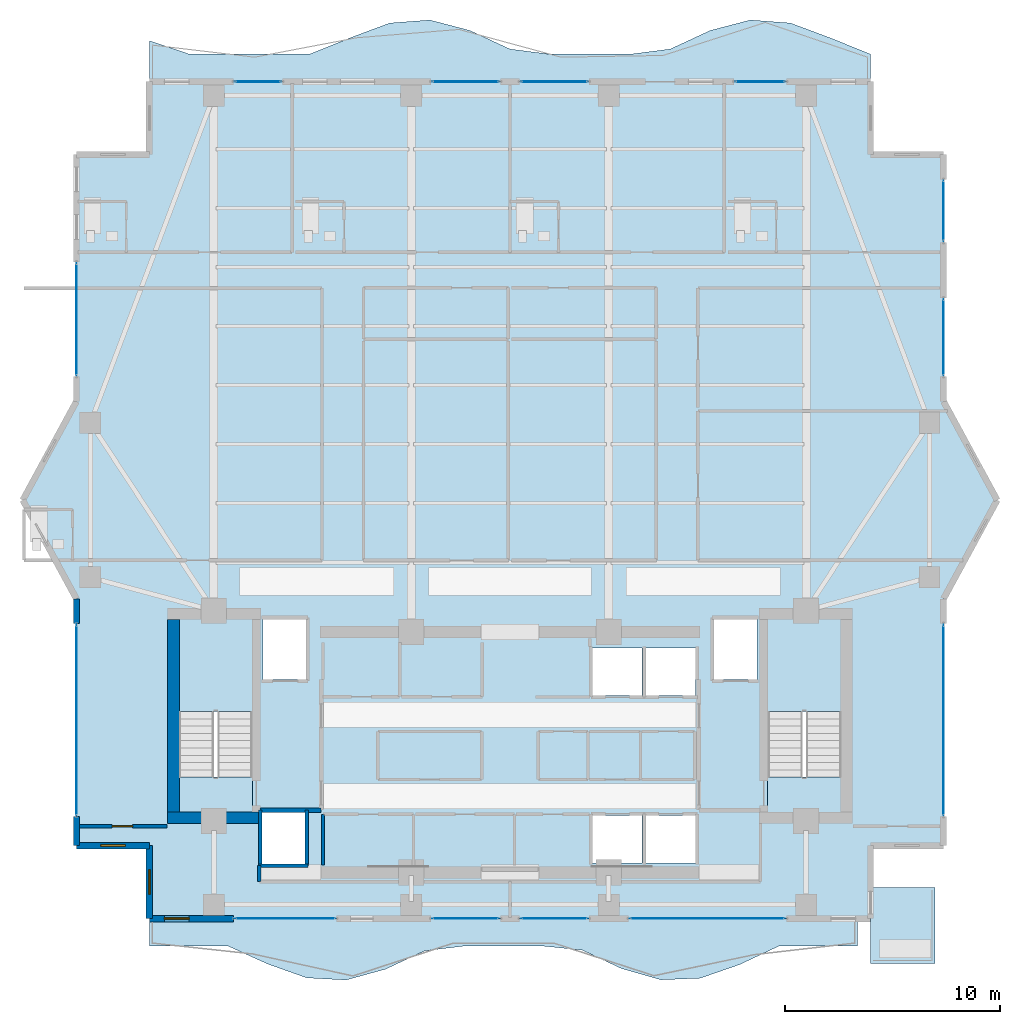
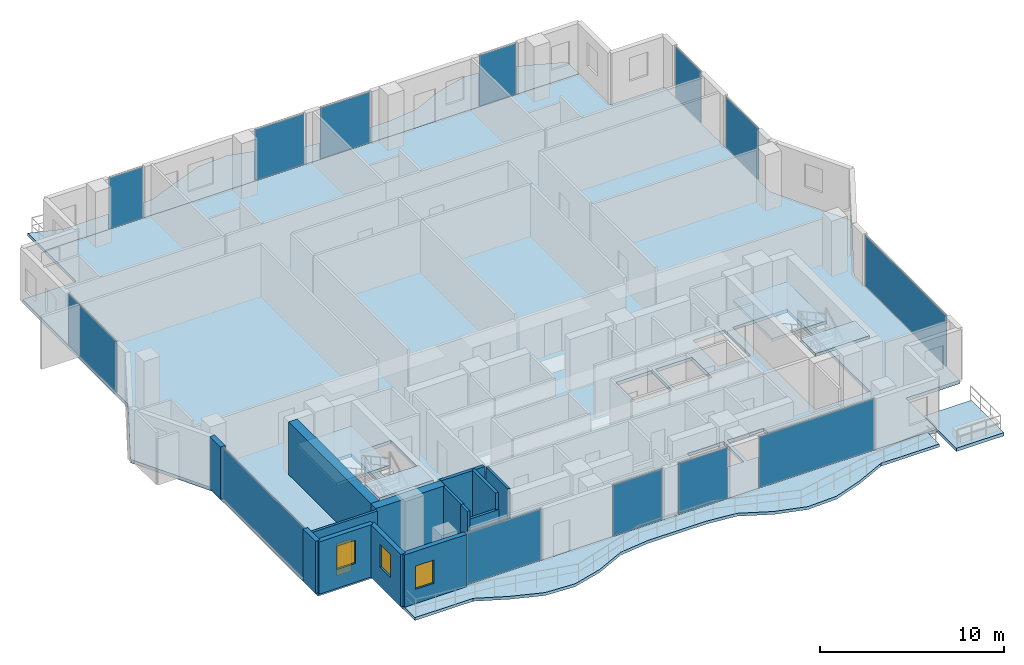
# One storey, part 18 of 26: 14 walls, 13 plates, 8 slabs, 3 windows, 1 door, 4 openings, 15 elements without a shape of their own.
"""IFC4 building model written with IfcOpenShell, lengths in metres."""

from ifc_helpers import new_model, si_unit, direction, frame, frame_2d, origin, origin_2d, place, context, subcontext, project, spatial, polyline, rectangle, outline, extrude, material, layer, layer_set, type_object, element, fill, aggregate, save


model = new_model("IFC4")

# Units and contexts
model_context = context("Model", 3, precision=1e-05, world=origin(), true_north=direction((0.0, 1.0)))
body_context = subcontext(model_context, "Body", "Model", "MODEL_VIEW")
ifc_project = project(units=[si_unit("LENGTHUNIT", "METRE"), si_unit("AREAUNIT", "SQUARE_METRE"), si_unit("VOLUMEUNIT", "CUBIC_METRE"), si_unit("PLANEANGLEUNIT", "RADIAN"), si_unit("MASSUNIT", "GRAM", prefix="KILO")], contexts=[model_context])

# Site, building, storey
site_placement = place(None, origin())
site = spatial("IfcSite", under=ifc_project, at=site_placement, CompositionType="ELEMENT")
building_placement = place(site_placement, origin())
building = spatial("IfcBuilding", under=site, at=building_placement, Name="Zuhayl Quay Hotel", CompositionType="ELEMENT")
storey_placement = place(building_placement, frame((0.0, 0.0, 254.449951171875)))
storey = spatial("IfcBuildingStorey", under=building, at=storey_placement, Name="L64", CompositionType="ELEMENT", Elevation=254.449951171875)

# Curtain wall, plate
ifc_material_1 = material(Name="Anodised Aluminium 6063-T6", Category="aluminium")
ifc_layer_1 = layer(ifc_material_1, 0.169921875, Name="Anodised Aluminium 6063-T6", Category="aluminium")
ifc_layer_set_1 = layer_set([ifc_layer_1], Name="Anodised Aluminium 6063-T6")
curtain_wall_type = type_object("IfcCurtainWallType", Name="CW_SYS_Z4", PredefinedType="USERDEFINED", material=ifc_layer_set_1)
curtain_wall_1_placement = place(storey_placement, origin())
curtain_wall_1 = element("IfcCurtainWall", 1, at=curtain_wall_1_placement, inside=storey, type_object=curtain_wall_type, Name="L64 Curtain Wall ENV_L64_E02_CW1", ObjectType="UNITISED CURTAIN WALL", PredefinedType="USERDEFINED")
ifc_material_2 = material(Name="Dark Ceramic-Fritted Solar Glass", Category="glass")
ifc_layer_2 = layer(ifc_material_2, 0.035888671875, Name="Dark Ceramic-Fritted Solar Glass", Category="glass")
ifc_layer_set_2 = layer_set([ifc_layer_2], Name="Dark Ceramic-Fritted Solar Glass")
plate_type = type_object("IfcPlateType", Name="PN_DARK_FRIT_Z1", PredefinedType="CURTAIN_PANEL", material=ifc_layer_set_2)
plate_1_placement = place(storey_placement, frame((-20.199951171875, 9.25, 0.054931640625), z_axis=(0.0, 0.0, 1.0), x_axis=(0.0, 1.0, 0.0)))
plate_1 = element("IfcPlate", 2, at=plate_1_placement, type_object=plate_type, Name="CW-Z4 panel 1.1", PredefinedType="CURTAIN_PANEL", context=body_context, shape_type="SweptSolid", body=[
    extrude(rectangle(XDim=8.8701171875, YDim=0.035888671875, at=origin_2d()), origin(), (0.0, 0.0, 1.0), 3.3701171875),
])
aggregate(curtain_wall_1, [plate_1])

curtain_wall_2_placement = place(storey_placement, origin())
curtain_wall_2 = element("IfcCurtainWall", 3, at=curtain_wall_2_placement, inside=storey, type_object=curtain_wall_type, Name="L64 Curtain Wall ENV_L64_E05_CW1", ObjectType="UNITISED CURTAIN WALL", PredefinedType="USERDEFINED")
plate_2_placement = place(storey_placement, frame((-20.199951171875, 27.925048828125, 0.054931640625), z_axis=(0.0, 0.0, 1.0), x_axis=(0.0, 1.0, 0.0)))
plate_2 = element("IfcPlate", 4, at=plate_2_placement, type_object=plate_type, Name="CW-Z4 panel 1.1", PredefinedType="CURTAIN_PANEL", context=body_context, shape_type="SweptSolid", body=[
    extrude(rectangle(XDim=5.219970703125, YDim=0.035888671875, at=origin_2d()), origin(), (0.0, 0.0, 1.0), 3.3701171875),
])
aggregate(curtain_wall_2, [plate_2])

curtain_wall_3_placement = place(storey_placement, origin())
curtain_wall_3 = element("IfcCurtainWall", 5, at=curtain_wall_3_placement, inside=storey, type_object=curtain_wall_type, Name="L64 Curtain Wall ENV_L64_N_CW1", ObjectType="UNITISED CURTAIN WALL", PredefinedType="USERDEFINED")
plate_3_placement = place(storey_placement, frame((-11.739990234375, 39.0, 0.054931640625), z_axis=(0.0, 0.0, 1.0), x_axis=(1.0, 0.0, 0.0)))
plate_3 = element("IfcPlate", 6, at=plate_3_placement, type_object=plate_type, Name="CW-Z4 panel 1.1", PredefinedType="CURTAIN_PANEL", context=body_context, shape_type="SweptSolid", body=[
    extrude(rectangle(XDim=2.14990234375, YDim=0.035888671875, at=origin_2d()), origin(), (0.0, 0.0, 1.0), 3.3701171875),
])
aggregate(curtain_wall_3, [plate_3])

curtain_wall_4_placement = place(storey_placement, origin())
curtain_wall_4 = element("IfcCurtainWall", 7, at=curtain_wall_4_placement, inside=storey, type_object=curtain_wall_type, Name="L64 Curtain Wall ENV_L64_N_CW2", ObjectType="UNITISED CURTAIN WALL", PredefinedType="USERDEFINED")
plate_4_placement = place(storey_placement, frame((-2.06494140625, 39.0, 0.054931640625), z_axis=(0.0, 0.0, 1.0), x_axis=(1.0, 0.0, 0.0)))
plate_4 = element("IfcPlate", 8, at=plate_4_placement, type_object=plate_type, Name="CW-Z4 panel 1.1", PredefinedType="CURTAIN_PANEL", context=body_context, shape_type="SweptSolid", body=[
    extrude(rectangle(XDim=3.10009765625, YDim=0.035888671875, at=origin_2d()), origin(), (0.0, 0.0, 1.0), 3.3701171875),
])
aggregate(curtain_wall_4, [plate_4])

curtain_wall_5_placement = place(storey_placement, origin())
curtain_wall_5 = element("IfcCurtainWall", 9, at=curtain_wall_5_placement, inside=storey, type_object=curtain_wall_type, Name="L64 Curtain Wall ENV_L64_N_CW3", ObjectType="UNITISED CURTAIN WALL", PredefinedType="USERDEFINED")
plate_5_placement = place(storey_placement, frame((2.06494140625, 39.0, 0.054931640625), z_axis=(0.0, 0.0, 1.0), x_axis=(1.0, 0.0, 0.0)))
plate_5 = element("IfcPlate", 10, at=plate_5_placement, type_object=plate_type, Name="CW-Z4 panel 1.1", PredefinedType="CURTAIN_PANEL", context=body_context, shape_type="SweptSolid", body=[
    extrude(rectangle(XDim=3.10009765625, YDim=0.035888671875, at=origin_2d()), origin(), (0.0, 0.0, 1.0), 3.3701171875),
])
aggregate(curtain_wall_5, [plate_5])

curtain_wall_6_placement = place(storey_placement, origin())
curtain_wall_6 = element("IfcCurtainWall", 11, at=curtain_wall_6_placement, inside=storey, type_object=curtain_wall_type, Name="L64 Curtain Wall ENV_L64_N_CW4", ObjectType="UNITISED CURTAIN WALL", PredefinedType="USERDEFINED")
plate_6_placement = place(storey_placement, frame((11.659912109375, 39.0, 0.054931640625), z_axis=(0.0, 0.0, 1.0), x_axis=(1.0, 0.0, 0.0)))
plate_6 = element("IfcPlate", 12, at=plate_6_placement, type_object=plate_type, Name="CW-Z4 panel 1.1", PredefinedType="CURTAIN_PANEL", context=body_context, shape_type="SweptSolid", body=[
    extrude(rectangle(XDim=2.31005859375, YDim=0.035888671875, at=origin_2d()), origin(), (0.0, 0.0, 1.0), 3.3701171875),
])
aggregate(curtain_wall_6, [plate_6])

curtain_wall_7_placement = place(storey_placement, origin())
curtain_wall_7 = element("IfcCurtainWall", 13, at=curtain_wall_7_placement, inside=storey, type_object=curtain_wall_type, Name="L64 Curtain Wall ENV_L64_E11_CW1", ObjectType="UNITISED CURTAIN WALL", PredefinedType="USERDEFINED")
plate_7_placement = place(storey_placement, frame((20.199951171875, 32.97509765625, 0.054931640625), z_axis=(0.0, 0.0, 1.0), x_axis=(0.0, -1.0, 0.0)))
plate_7 = element("IfcPlate", 14, at=plate_7_placement, type_object=plate_type, Name="CW-Z4 panel 1.1", PredefinedType="CURTAIN_PANEL", context=body_context, shape_type="SweptSolid", body=[
    extrude(rectangle(XDim=2.820068359375, YDim=0.035888671875, at=origin_2d()), origin(), (0.0, 0.0, 1.0), 3.3701171875),
])
aggregate(curtain_wall_7, [plate_7])

curtain_wall_8_placement = place(storey_placement, origin())
curtain_wall_8 = element("IfcCurtainWall", 15, at=curtain_wall_8_placement, inside=storey, type_object=curtain_wall_type, Name="L64 Curtain Wall ENV_L64_E11_CW2", ObjectType="UNITISED CURTAIN WALL", PredefinedType="USERDEFINED")
plate_8_placement = place(storey_placement, frame((20.199951171875, 27.090087890625, 0.054931640625), z_axis=(0.0, 0.0, 1.0), x_axis=(0.0, -1.0, 0.0)))
plate_8 = element("IfcPlate", 16, at=plate_8_placement, type_object=plate_type, Name="CW-Z4 panel 1.1", PredefinedType="CURTAIN_PANEL", context=body_context, shape_type="SweptSolid", body=[
    extrude(rectangle(XDim=3.550048828125, YDim=0.035888671875, at=origin_2d()), origin(), (0.0, 0.0, 1.0), 3.3701171875),
])
aggregate(curtain_wall_8, [plate_8])

curtain_wall_9_placement = place(storey_placement, origin())
curtain_wall_9 = element("IfcCurtainWall", 17, at=curtain_wall_9_placement, inside=storey, type_object=curtain_wall_type, Name="L64 Curtain Wall ENV_L64_E14_CW1", ObjectType="UNITISED CURTAIN WALL", PredefinedType="USERDEFINED")
plate_9_placement = place(storey_placement, frame((20.199951171875, 9.25, 0.054931640625), z_axis=(0.0, 0.0, 1.0), x_axis=(0.0, -1.0, 0.0)))
plate_9 = element("IfcPlate", 18, at=plate_9_placement, type_object=plate_type, Name="CW-Z4 panel 1.1", PredefinedType="CURTAIN_PANEL", context=body_context, shape_type="SweptSolid", body=[
    extrude(rectangle(XDim=8.8701171875, YDim=0.035888671875, at=origin_2d()), origin(), (0.0, 0.0, 1.0), 3.3701171875),
])
aggregate(curtain_wall_9, [plate_9])

curtain_wall_10_placement = place(storey_placement, origin())
curtain_wall_10 = element("IfcCurtainWall", 19, at=curtain_wall_10_placement, inside=storey, type_object=curtain_wall_type, Name="L64 Curtain Wall ENV_L64_S_CW1", ObjectType="UNITISED CURTAIN WALL", PredefinedType="USERDEFINED")
plate_10_placement = place(storey_placement, frame((9.199951171875, 0.0, 0.054931640625), z_axis=(0.0, 0.0, 1.0), x_axis=(-1.0, 0.0, 0.0)))
plate_10 = element("IfcPlate", 20, at=plate_10_placement, type_object=plate_type, Name="CW-Z4 panel 1.1", PredefinedType="CURTAIN_PANEL", context=body_context, shape_type="SweptSolid", body=[
    extrude(rectangle(XDim=7.22998046875, YDim=0.035888671875, at=origin_2d()), origin(), (0.0, 0.0, 1.0), 3.3701171875),
])
aggregate(curtain_wall_10, [plate_10])

curtain_wall_11_placement = place(storey_placement, origin())
curtain_wall_11 = element("IfcCurtainWall", 21, at=curtain_wall_11_placement, inside=storey, type_object=curtain_wall_type, Name="L64 Curtain Wall ENV_L64_S_CW2", ObjectType="UNITISED CURTAIN WALL", PredefinedType="USERDEFINED")
plate_11_placement = place(storey_placement, frame((2.06494140625, 0.0, 0.054931640625), z_axis=(0.0, 0.0, 1.0), x_axis=(-1.0, 0.0, 0.0)))
plate_11 = element("IfcPlate", 22, at=plate_11_placement, type_object=plate_type, Name="CW-Z4 panel 1.1", PredefinedType="CURTAIN_PANEL", context=body_context, shape_type="SweptSolid", body=[
    extrude(rectangle(XDim=3.10009765625, YDim=0.035888671875, at=origin_2d()), origin(), (0.0, 0.0, 1.0), 3.3701171875),
])
aggregate(curtain_wall_11, [plate_11])

curtain_wall_12_placement = place(storey_placement, origin())
curtain_wall_12 = element("IfcCurtainWall", 23, at=curtain_wall_12_placement, inside=storey, type_object=curtain_wall_type, Name="L64 Curtain Wall ENV_L64_S_CW3", ObjectType="UNITISED CURTAIN WALL", PredefinedType="USERDEFINED")
plate_12_placement = place(storey_placement, frame((-2.06494140625, 0.0, 0.054931640625), z_axis=(0.0, 0.0, 1.0), x_axis=(-1.0, 0.0, 0.0)))
plate_12 = element("IfcPlate", 24, at=plate_12_placement, type_object=plate_type, Name="CW-Z4 panel 1.1", PredefinedType="CURTAIN_PANEL", context=body_context, shape_type="SweptSolid", body=[
    extrude(rectangle(XDim=3.10009765625, YDim=0.035888671875, at=origin_2d()), origin(), (0.0, 0.0, 1.0), 3.3701171875),
])
aggregate(curtain_wall_12, [plate_12])

curtain_wall_13_placement = place(storey_placement, origin())
curtain_wall_13 = element("IfcCurtainWall", 25, at=curtain_wall_13_placement, inside=storey, type_object=curtain_wall_type, Name="L64 Curtain Wall ENV_L64_S_CW4", ObjectType="UNITISED CURTAIN WALL", PredefinedType="USERDEFINED")
plate_13_placement = place(storey_placement, frame((-10.4775390625, 0.0, 0.054931640625), z_axis=(0.0, 0.0, 1.0), x_axis=(-1.0, 0.0, 0.0)))
plate_13 = element("IfcPlate", 26, at=plate_13_placement, type_object=plate_type, Name="CW-Z4 panel 1.1", PredefinedType="CURTAIN_PANEL", context=body_context, shape_type="SweptSolid", body=[
    extrude(rectangle(XDim=4.675048828125, YDim=0.035888671875, at=origin_2d()), origin(), (0.0, 0.0, 1.0), 3.3701171875),
])
aggregate(curtain_wall_13, [plate_13])

# Slabs
ifc_material_3 = material(Name="Concrete C45/55", Category="concrete")
ifc_layer_3 = layer(ifc_material_3, 0.195068359375, Name="Concrete C45/55", Category="concrete")
ifc_layer_set_3 = layer_set([ifc_layer_3], Name="Concrete C45/55")
slab_type_1 = type_object("IfcSlabType", Name="SL_BALCONY_195", PredefinedType="FLOOR", material=ifc_layer_set_3)
slab_1_placement = place(storey_placement, frame((0.0, 0.0, -0.195068359375)))
element("IfcSlab", 27, at=slab_1_placement, inside=storey, type_object=slab_type_1, Name="L64 Exterior Rippling Balcony Slab North", PredefinedType="FLOOR", context=body_context, shape_type="SweptSolid", body=[
    extrude(outline(polyline([(-16.800048828125, 39.0), (16.800048828125, 39.0), (16.800048828125, 40.280029296875), (14.933349609375, 41.036376953125), (13.066650390625, 41.732421875), (11.199951171875, 41.872802734375), (9.333251953125, 41.384765625), (7.466796875, 40.519287109375), (5.60009765625, 40.280029296875), (3.7333984375, 40.280029296875), (1.86669921875, 40.280029296875), (0.0, 40.519287109375), (-1.86669921875, 41.384765625), (-3.7333984375, 41.872802734375), (-5.60009765625, 41.732421875), (-7.466796875, 41.036376953125), (-9.333251953125, 40.280029296875), (-11.199951171875, 40.280029296875), (-13.066650390625, 40.280029296875), (-14.933349609375, 40.280029296875), (-16.800048828125, 40.909912109375), (-16.800048828125, 39.0)])), origin(), (0.0, 0.0, 1.0), 0.195068359375),
])
slab_2_placement = place(storey_placement, frame((0.0, 0.0, -0.195068359375)))
element("IfcSlab", 28, at=slab_2_placement, inside=storey, type_object=slab_type_1, Name="L64 Exterior Rippling Balcony Slab South", PredefinedType="FLOOR", context=body_context, shape_type="SweptSolid", body=[
    extrude(outline(polyline([(-16.800048828125, -1.280029296875), (-14.966796875, -1.280029296875), (-13.13330078125, -1.280029296875), (-11.300048828125, -2.11328125), (-9.466796875, -2.763916015625), (-7.63330078125, -2.861572265625), (-5.800048828125, -2.35791015625), (-3.966796875, -1.503173828125), (-2.13330078125, -1.280029296875), (-0.300048828125, -1.280029296875), (1.533203125, -1.280029296875), (3.36669921875, -1.470703125), (5.199951171875, -2.330810546875), (7.033203125, -2.85302734375), (8.86669921875, -2.7783203125), (10.699951171875, -2.143310546875), (12.533203125, -1.280029296875), (14.36669921875, -1.280029296875), (16.199951171875, -1.280029296875), (16.199951171875, 0.0), (-16.800048828125, 0.0), (-16.800048828125, -1.280029296875)])), origin(), (0.0, 0.0, 1.0), 0.195068359375),
])
ifc_layer_4 = layer(ifc_material_3, 0.219970703125, Name="Concrete C45/55", Category="concrete")
ifc_layer_set_4 = layer_set([ifc_layer_4], Name="Concrete C45/55")
slab_type_2 = type_object("IfcSlabType", Name="SL_FLOOR_220", PredefinedType="FLOOR", material=ifc_layer_set_4)
slab_3_placement = place(storey_placement, frame((0.0, 0.0, -0.219970703125)))
element("IfcSlab", 29, at=slab_3_placement, inside=storey, type_object=slab_type_2, Name="L64 Structural Floor Slab", PredefinedType="FLOOR", context=body_context, shape_type="SweptSolid", body=[
    extrude(outline(polyline([(-16.800048828125, 0.0), (16.800048828125, 0.0), (16.800048828125, 3.39990234375), (20.199951171875, 3.39990234375), (20.199951171875, 14.89990234375), (22.699951171875, 19.5), (20.199951171875, 24.10009765625), (20.199951171875, 35.60009765625), (16.800048828125, 35.60009765625), (16.800048828125, 39.0), (-16.800048828125, 39.0), (-16.800048828125, 35.60009765625), (-20.199951171875, 35.60009765625), (-20.199951171875, 24.10009765625), (-22.699951171875, 19.5), (-20.199951171875, 14.89990234375), (-20.199951171875, 3.39990234375), (-16.800048828125, 3.39990234375), (-16.800048828125, 0.0)]), holes=[polyline([(-12.0, 4.949951171875), (-12.0, 13.949951171875), (-15.429931640625, 13.949951171875), (-15.429931640625, 4.949951171875), (-12.0, 4.949951171875)]), polyline([(15.429931640625, 4.949951171875), (15.429931640625, 13.949951171875), (12.0, 13.949951171875), (12.0, 4.949951171875), (15.429931640625, 4.949951171875)]), polyline([(-11.5, 11.14990234375), (-9.5, 11.14990234375), (-9.5, 13.949951171875), (-11.5, 13.949951171875), (-11.5, 11.14990234375)]), polyline([(9.5, 11.14990234375), (11.5, 11.14990234375), (11.5, 13.949951171875), (9.5, 13.949951171875), (9.5, 11.14990234375)]), polyline([(3.85009765625, 2.60009765625), (6.14990234375, 2.60009765625), (6.14990234375, 4.800048828125), (3.85009765625, 4.800048828125), (3.85009765625, 2.60009765625)]), polyline([(6.35009765625, 2.60009765625), (8.64990234375, 2.60009765625), (8.64990234375, 4.800048828125), (6.35009765625, 4.800048828125), (6.35009765625, 2.60009765625)]), polyline([(3.85009765625, 10.39990234375), (6.14990234375, 10.39990234375), (6.14990234375, 12.60009765625), (3.85009765625, 12.60009765625), (3.85009765625, 10.39990234375)]), polyline([(6.35009765625, 10.39990234375), (8.64990234375, 10.39990234375), (8.64990234375, 12.60009765625), (6.35009765625, 12.60009765625), (6.35009765625, 10.39990234375)]), polyline([(-11.550048828125, 2.550048828125), (-9.550048828125, 2.550048828125), (-9.550048828125, 4.949951171875), (-11.550048828125, 4.949951171875), (-11.550048828125, 2.550048828125)])]), origin(), (0.0, 0.0, 1.0), 0.219970703125),
])

# Stair, slabs
stair_type = type_object("IfcStairType", Name="ST_DOGLEG_TOWER", PredefinedType="HALF_TURN_STAIR", material=ifc_material_3)
stair_1_placement = place(storey_placement, origin())
stair_1 = element("IfcStair", 30, at=stair_1_placement, inside=storey, type_object=stair_type, Name="L64 Smokeproof Exit Stair ST1", PredefinedType="HALF_TURN_STAIR")
ifc_layer_5 = layer(ifc_material_3, 0.199951171875, Name="Concrete C45/55", Category="concrete")
ifc_layer_set_5 = layer_set([ifc_layer_5], Name="Concrete C45/55")
slab_type_3 = type_object("IfcSlabType", Name="SL_STAIR_LANDING_200", PredefinedType="LANDING", material=ifc_layer_set_5)
slab_4_placement = place(storey_placement, frame((0.0, 0.0, 1.650146484375)))
slab_4 = element("IfcSlab", 31, at=slab_4_placement, type_object=slab_type_3, Name="ST1 landing 1", PredefinedType="LANDING", context=body_context, shape_type="SweptSolid", body=[
    extrude(outline(polyline([(-12.0, 9.64990234375), (-12.0, 13.949951171875), (-15.429931640625, 13.949951171875), (-15.429931640625, 9.64990234375), (-12.0, 9.64990234375)])), origin(), (0.0, 0.0, 1.0), 0.199951171875),
])
slab_5_placement = place(storey_placement, frame((0.0, 0.0, 3.5)))
slab_5 = element("IfcSlab", 32, at=slab_5_placement, type_object=slab_type_3, Name="ST1 landing 2", PredefinedType="LANDING", context=body_context, shape_type="SweptSolid", body=[
    extrude(outline(polyline([(-12.0, 4.949951171875), (-12.0, 6.590087890625), (-15.429931640625, 6.590087890625), (-15.429931640625, 4.949951171875), (-12.0, 4.949951171875)])), origin(), (0.0, 0.0, 1.0), 0.199951171875),
])
aggregate(stair_1, [slab_4, slab_5])

stair_2_placement = place(storey_placement, origin())
stair_2 = element("IfcStair", 33, at=stair_2_placement, inside=storey, type_object=stair_type, Name="L64 Smokeproof Exit Stair ST2", PredefinedType="HALF_TURN_STAIR")
slab_6_placement = place(storey_placement, frame((0.0, 0.0, 1.650146484375)))
slab_6 = element("IfcSlab", 34, at=slab_6_placement, type_object=slab_type_3, Name="ST2 landing 1", PredefinedType="LANDING", context=body_context, shape_type="SweptSolid", body=[
    extrude(outline(polyline([(15.429931640625, 9.64990234375), (15.429931640625, 13.949951171875), (12.0, 13.949951171875), (12.0, 9.64990234375), (15.429931640625, 9.64990234375)])), origin(), (0.0, 0.0, 1.0), 0.199951171875),
])
slab_7_placement = place(storey_placement, frame((0.0, 0.0, 3.5)))
slab_7 = element("IfcSlab", 35, at=slab_7_placement, type_object=slab_type_3, Name="ST2 landing 2", PredefinedType="LANDING", context=body_context, shape_type="SweptSolid", body=[
    extrude(outline(polyline([(15.429931640625, 4.949951171875), (15.429931640625, 6.590087890625), (12.0, 6.590087890625), (12.0, 4.949951171875), (15.429931640625, 4.949951171875)])), origin(), (0.0, 0.0, 1.0), 0.199951171875),
])
aggregate(stair_2, [slab_6, slab_7])

# Slab
ifc_layer_6 = layer(ifc_material_3, 0.219970703125, Name="Concrete C45/55", Category="concrete")
ifc_layer_set_6 = layer_set([ifc_layer_6], Name="Concrete C45/55")
slab_type_4 = type_object("IfcSlabType", Name="SL_TERRACE_235", PredefinedType="FLOOR", material=ifc_layer_set_6)
slab_8_placement = place(storey_placement, frame((0.0, 0.0, -0.219970703125)))
element("IfcSlab", 36, at=slab_8_placement, inside=storey, type_object=slab_type_4, Name="L64 Exterior Sky-Terrace Slab L64_SPIRAL_SE", PredefinedType="FLOOR", context=body_context, shape_type="SweptSolid", body=[
    extrude(outline(polyline([(16.800048828125, -2.10009765625), (19.800048828125, -2.10009765625), (19.800048828125, 1.449951171875), (16.800048828125, 1.449951171875), (16.800048828125, -2.10009765625)])), origin(), (0.0, 0.0, 1.0), 0.219970703125),
])

# Walls
ifc_material_4 = material(Name="Concrete C50/60", Category="concrete")
ifc_layer_7 = layer(ifc_material_4, 0.550048828125, Name="Concrete C50/60", Category="concrete")
ifc_layer_set_7 = layer_set([ifc_layer_7], Name="Concrete C50/60")
wall_type_1 = type_object("IfcWallType", Name="WL_CORE_550", PredefinedType="SHEAR", material=ifc_layer_set_7)
wall_1_placement = place(storey_placement, frame((-15.68505859375, 4.969970703125, 0.0), z_axis=(0.0, 0.0, 1.0), x_axis=(0.0, 1.0, 0.0)))
element("IfcWall", 37, at=wall_1_placement, inside=storey, type_object=wall_type_1, Name="L64 Core Shear Wall CW_W", PredefinedType="SHEAR", context=body_context, shape_type="SweptSolid", body=[
    extrude(rectangle(XDim=8.9599609375, YDim=0.550048828125, at=frame_2d((4.47998046875, 0.0))), origin(), (0.0, 0.0, 1.0), 3.510009765625),
])
wall_2_placement = place(storey_placement, frame((-15.9599609375, 4.695068359375, 0.0), z_axis=(0.0, 0.0, 1.0), x_axis=(1.0, 0.0, 0.0)))
element("IfcWall", 38, at=wall_2_placement, inside=storey, type_object=wall_type_1, Name="L64 Core Shear Wall CW_SW", PredefinedType="SHEAR", context=body_context, shape_type="SweptSolid", body=[
    extrude(rectangle(XDim=4.35986328125, YDim=0.550048828125, at=frame_2d((2.179931640625, 0.0))), origin(), (0.0, 0.0, 1.0), 3.510009765625),
])

# Wall, opening, window
ifc_material_5 = material(Name="Precast concrete C45/55", Category="concrete")
ifc_layer_8 = layer(ifc_material_5, 0.300048828125, Name="Precast concrete C45/55", Category="concrete")
ifc_layer_set_8 = layer_set([ifc_layer_8], Name="Precast concrete C45/55")
wall_type_2 = type_object("IfcWallType", Name="WL_EXT_300", PredefinedType="STANDARD", material=ifc_layer_set_8)
wall_3_placement = place(storey_placement, frame((-16.800048828125, 3.39990234375, 0.0), z_axis=(0.0, 0.0, 1.0), x_axis=(-1.0, 0.0, 0.0)))
wall_3 = element("IfcWall", 39, at=wall_3_placement, inside=storey, type_object=wall_type_2, Name="L64 Exterior Precast Wall ENV_L64_EW01", PredefinedType="STANDARD", context=body_context, shape_type="SweptSolid", body=[
    extrude(rectangle(XDim=3.39990234375, YDim=0.300048828125, at=frame_2d((1.699951171875, 0.0))), origin(), (0.0, 0.0, 1.0), 3.47998046875),
])
opening_1_placement = place(wall_3_placement, frame((1.125, 0.0, 1.25)))
opening_1 = element("IfcOpeningElement", 40, at=opening_1_placement, cuts=wall_3, Name="Opening W01N", PredefinedType="OPENING", context=body_context, shape_type="SweptSolid", body=[
    extrude(rectangle(XDim=1.14990234375, YDim=1.550048828125, at=frame_2d((0.574951171875, 0.77490234375))), frame((0.0, 0.159912109375, 0.0), z_axis=(0.0, -1.0, 0.0), x_axis=(1.0, 0.0, 0.0)), (0.0, 0.0, 1.0), 0.320068359375),
])
window_type = type_object("IfcWindowType", Name="WN_NOTCH_1350", PartitioningType="SINGLE_PANEL", PredefinedType="WINDOW", material=ifc_material_2)
window_1_placement = place(opening_1_placement, origin())
window_1 = element("IfcWindow", 41, at=window_1_placement, inside=storey, type_object=window_type, Name="L64 Corner Notch Window 1", OverallHeight=1.550048828125, OverallWidth=1.14990234375, PartitioningType="SINGLE_PANEL", PredefinedType="WINDOW", context=body_context, shape_type="SweptSolid", body=[
    extrude(rectangle(XDim=1.14990234375, YDim=1.550048828125, at=frame_2d((0.574951171875, 0.77490234375))), frame((0.0, 0.030029296875, 0.0), z_axis=(0.0, -1.0, 0.0), x_axis=(1.0, 0.0, 0.0)), (0.0, 0.0, 1.0), 0.06005859375),
])
fill(opening_1, window_1)

# Walls
wall_4_placement = place(storey_placement, frame((-20.199951171875, 3.39990234375, 0.0), z_axis=(0.0, 0.0, 1.0), x_axis=(0.0, 1.0, 0.0)))
element("IfcWall", 42, at=wall_4_placement, inside=storey, type_object=wall_type_2, Name="L64 Exterior Precast Wall ENV_L64_E02_EW1", PredefinedType="STANDARD", context=body_context, shape_type="SweptSolid", body=[
    extrude(rectangle(XDim=1.35009765625, YDim=0.300048828125, at=frame_2d((0.675048828125, 0.0))), origin(), (0.0, 0.0, 1.0), 3.47998046875),
])
wall_5_placement = place(storey_placement, frame((-20.199951171875, 13.75, 0.0), z_axis=(0.0, 0.0, 1.0), x_axis=(0.0, 1.0, 0.0)))
element("IfcWall", 43, at=wall_5_placement, inside=storey, type_object=wall_type_2, Name="L64 Exterior Precast Wall ENV_L64_E02_EW2", PredefinedType="STANDARD", context=body_context, shape_type="SweptSolid", body=[
    extrude(rectangle(XDim=1.14990234375, YDim=0.300048828125, at=frame_2d((0.574951171875, 0.0))), origin(), (0.0, 0.0, 1.0), 3.47998046875),
])

# Wall, opening, window
wall_6_placement = place(storey_placement, frame((-12.8798828125, 0.0, 0.0), z_axis=(0.0, 0.0, 1.0), x_axis=(-1.0, 0.0, 0.0)))
wall_6 = element("IfcWall", 44, at=wall_6_placement, inside=storey, type_object=wall_type_2, Name="L64 Exterior Precast Wall ENV_L64_S_EW5", PredefinedType="STANDARD", context=body_context, shape_type="SweptSolid", body=[
    extrude(rectangle(XDim=3.920166015625, YDim=0.300048828125, at=frame_2d((1.9599609375, 0.0))), origin(), (0.0, 0.0, 1.0), 3.47998046875),
])
opening_2_placement = place(wall_6_placement, frame((2.074951171875, 0.0, 0.949951171875)))
opening_2 = element("IfcOpeningElement", 45, at=opening_2_placement, cuts=wall_6, Name="Opening W01N", PredefinedType="OPENING", context=body_context, shape_type="SweptSolid", body=[
    extrude(rectangle(XDim=1.14990234375, YDim=1.550048828125, at=frame_2d((0.574951171875, 0.77490234375))), frame((0.0, 0.159912109375, 0.0), z_axis=(0.0, -1.0, 0.0), x_axis=(1.0, 0.0, 0.0)), (0.0, 0.0, 1.0), 0.320068359375),
])
window_2_placement = place(opening_2_placement, origin())
window_2 = element("IfcWindow", 46, at=window_2_placement, inside=storey, type_object=window_type, Name="L64 Operable Facade Window 5-1", OverallHeight=1.550048828125, OverallWidth=1.14990234375, PartitioningType="SINGLE_PANEL", PredefinedType="WINDOW", context=body_context, shape_type="SweptSolid", body=[
    extrude(rectangle(XDim=1.14990234375, YDim=1.550048828125, at=frame_2d((0.574951171875, 0.77490234375))), frame((0.0, 0.030029296875, 0.0), z_axis=(0.0, -1.0, 0.0), x_axis=(1.0, 0.0, 0.0)), (0.0, 0.0, 1.0), 0.06005859375),
])
fill(opening_2, window_2)

wall_7_placement = place(storey_placement, frame((-16.800048828125, 0.0, 0.0), z_axis=(0.0, 0.0, 1.0), x_axis=(0.0, 1.0, 0.0)))
wall_7 = element("IfcWall", 47, at=wall_7_placement, inside=storey, type_object=wall_type_2, Name="L64 Exterior Precast Wall ENV_L64_EW18", PredefinedType="STANDARD", context=body_context, shape_type="SweptSolid", body=[
    extrude(rectangle(XDim=3.39990234375, YDim=0.300048828125, at=frame_2d((1.699951171875, 0.0))), origin(), (0.0, 0.0, 1.0), 3.47998046875),
])
opening_3_placement = place(wall_7_placement, frame((1.125, 0.0, 1.25)))
opening_3 = element("IfcOpeningElement", 48, at=opening_3_placement, cuts=wall_7, Name="Opening W01N", PredefinedType="OPENING", context=body_context, shape_type="SweptSolid", body=[
    extrude(rectangle(XDim=1.14990234375, YDim=1.550048828125, at=frame_2d((0.574951171875, 0.77490234375))), frame((0.0, 0.159912109375, 0.0), z_axis=(0.0, -1.0, 0.0), x_axis=(1.0, 0.0, 0.0)), (0.0, 0.0, 1.0), 0.320068359375),
])
window_3_placement = place(opening_3_placement, origin())
window_3 = element("IfcWindow", 49, at=window_3_placement, inside=storey, type_object=window_type, Name="L64 Corner Notch Window 18", OverallHeight=1.550048828125, OverallWidth=1.14990234375, PartitioningType="SINGLE_PANEL", PredefinedType="WINDOW", context=body_context, shape_type="SweptSolid", body=[
    extrude(rectangle(XDim=1.14990234375, YDim=1.550048828125, at=frame_2d((0.574951171875, 0.77490234375))), frame((0.0, 0.030029296875, 0.0), z_axis=(0.0, -1.0, 0.0), x_axis=(1.0, 0.0, 0.0)), (0.0, 0.0, 1.0), 0.06005859375),
])
fill(opening_3, window_3)

# Walls
ifc_material_6 = material(Name="Acoustic Gypsum Partition STC-58")
ifc_layer_9 = layer(ifc_material_6, 0.14990234375, Name="Acoustic Gypsum Partition STC-58")
ifc_layer_set_9 = layer_set([ifc_layer_9], Name="Acoustic Gypsum Partition STC-58")
wall_type_3 = type_object("IfcWallType", Name="WL_PART_150", PredefinedType="PARTITIONING", material=ifc_layer_set_9)
wall_8_placement = place(storey_placement, frame((-8.7099609375, 2.489990234375, 0.0), z_axis=(0.0, 0.0, 1.0), x_axis=(0.0, 1.0, 0.0)))
element("IfcWall", 50, at=wall_8_placement, inside=storey, type_object=wall_type_3, Name="L64 Partition IW_L64_FMP_S1_W", PredefinedType="PARTITIONING", context=body_context, shape_type="SweptSolid", body=[
    extrude(rectangle(XDim=2.3701171875, YDim=0.14990234375, at=frame_2d((1.18505859375, 0.0))), origin(), (0.0, 0.0, 1.0), 3.47998046875),
])
wall_9_placement = place(storey_placement, frame((-11.679931640625, 1.719970703125, 0.0), z_axis=(0.0, 0.0, 1.0), x_axis=(0.0, 1.0, 0.0)))
element("IfcWall", 51, at=wall_9_placement, inside=storey, type_object=wall_type_3, Name="L64 Partition IW_L64_Z4_SUN_SW_IN", PredefinedType="PARTITIONING", context=body_context, shape_type="SweptSolid", body=[
    extrude(rectangle(XDim=0.75, YDim=0.14990234375, at=frame_2d((0.375, 0.0))), origin(), (0.0, 0.0, 1.0), 3.47998046875),
])

# Wall, opening, door
ifc_layer_10 = layer(ifc_material_6, 0.159912109375, Name="Acoustic Gypsum Partition STC-58")
ifc_layer_set_10 = layer_set([ifc_layer_10], Name="Acoustic Gypsum Partition STC-58")
wall_type_4 = type_object("IfcWallType", Name="WL_PART_CORR_160", PredefinedType="PARTITIONING", material=ifc_layer_set_10)
wall_10_placement = place(storey_placement, frame((-20.139892578125, 4.300048828125, 0.0), z_axis=(0.0, 0.0, 1.0), x_axis=(1.0, 0.0, 0.0)))
wall_10 = element("IfcWall", 52, at=wall_10_placement, inside=storey, type_object=wall_type_4, Name="L64 Partition IW_L64_Z4_SUN_SW_N", PredefinedType="PARTITIONING", context=body_context, shape_type="SweptSolid", body=[
    extrude(rectangle(XDim=4.159912109375, YDim=0.159912109375, at=frame_2d((2.080078125, 0.0))), origin(), (0.0, 0.0, 1.0), 3.47998046875),
])
opening_4_placement = place(wall_10_placement, frame((1.60498046875, 0.0, 0.0)))
opening_4 = element("IfcOpeningElement", 53, at=opening_4_placement, cuts=wall_10, Name="Opening D03", PredefinedType="OPENING", context=body_context, shape_type="SweptSolid", body=[
    extrude(rectangle(XDim=0.949951171875, YDim=2.14990234375, at=frame_2d((0.47509765625, 1.074951171875))), frame((0.0, 0.08984375, 0.0), z_axis=(0.0, -1.0, 0.0), x_axis=(1.0, 0.0, 0.0)), (0.0, 0.0, 1.0), 0.179931640625),
])
ifc_material_7 = material(Name="Solid Walnut Acoustic Fire Door")
door_type = type_object("IfcDoorType", Name="DR_SUITE_950", OperationType="NOTDEFINED", PredefinedType="DOOR", material=ifc_material_7)
door_placement = place(opening_4_placement, origin())
door = element("IfcDoor", 54, at=door_placement, inside=storey, type_object=door_type, Name="L64 Sunset Salon SW Door", OperationType="SINGLE_SWING_RIGHT", OverallHeight=2.14990234375, OverallWidth=0.949951171875, PredefinedType="DOOR", context=body_context, shape_type="SweptSolid", body=[
    extrude(rectangle(XDim=0.949951171875, YDim=2.14990234375, at=frame_2d((0.47509765625, 1.074951171875))), frame((0.0, 0.02490234375, 0.0), z_axis=(0.0, -1.0, 0.0), x_axis=(1.0, 0.0, 0.0)), (0.0, 0.0, 1.0), 0.050048828125),
])
fill(opening_4, door)

# Walls
ifc_material_8 = material(Name="Gypsum Fireboard Assembly EI-90")
ifc_layer_11 = layer(ifc_material_8, 0.1650390625, Name="Gypsum Fireboard Assembly EI-90")
ifc_layer_set_11 = layer_set([ifc_layer_11], Name="Gypsum Fireboard Assembly EI-90")
wall_type_5 = type_object("IfcWallType", Name="WL_PART_SHAFT_160", PredefinedType="PARTITIONING", material=ifc_layer_set_11)
wall_11_placement = place(storey_placement, frame((-11.6298828125, 2.469970703125, 0.0), z_axis=(0.0, 0.0, 1.0), x_axis=(0.0, 1.0, 0.0)))
element("IfcWall", 55, at=wall_11_placement, inside=storey, type_object=wall_type_5, Name="L64 Partition IW_L64_RISER_W", PredefinedType="PARTITIONING", context=body_context, shape_type="SweptSolid", body=[
    extrude(rectangle(XDim=2.580078125, YDim=0.1650390625, at=frame_2d((1.2900390625, 0.0))), origin(), (0.0, 0.0, 1.0), 3.47998046875),
])
wall_12_placement = place(storey_placement, frame((-11.7099609375, 2.469970703125, 0.0), z_axis=(0.0, 0.0, 1.0), x_axis=(1.0, 0.0, 0.0)))
element("IfcWall", 56, at=wall_12_placement, inside=storey, type_object=wall_type_5, Name="L64 Partition IW_L64_RISER_S", PredefinedType="PARTITIONING", context=body_context, shape_type="SweptSolid", body=[
    extrude(rectangle(XDim=2.31005859375, YDim=0.1650390625, at=frame_2d((1.155029296875, 0.0))), origin(), (0.0, 0.0, 1.0), 2.380126953125),
])
ifc_layer_12 = layer(ifc_material_8, 0.179931640625, Name="Gypsum Fireboard Assembly EI-90")
ifc_layer_set_12 = layer_set([ifc_layer_12], Name="Gypsum Fireboard Assembly EI-90")
wall_type_6 = type_object("IfcWallType", Name="WL_PART_SHAFT_180", PredefinedType="PARTITIONING", material=ifc_layer_set_12)
wall_13_placement = place(storey_placement, frame((-9.469970703125, 2.449951171875, 0.0), z_axis=(0.0, 0.0, 1.0), x_axis=(0.0, 1.0, 0.0)))
element("IfcWall", 57, at=wall_13_placement, inside=storey, type_object=wall_type_6, Name="L64 Partition IW_L64_RISER_E", PredefinedType="PARTITIONING", context=body_context, shape_type="SweptSolid", body=[
    extrude(rectangle(XDim=2.60009765625, YDim=0.179931640625, at=frame_2d((1.300048828125, 0.0))), origin(), (0.0, 0.0, 1.0), 3.47998046875),
])
ifc_material_9 = material(Name="Gypsum Fireboard Assembly EI-120")
ifc_layer_13 = layer(ifc_material_9, 0.199951171875, Name="Gypsum Fireboard Assembly EI-120")
ifc_layer_set_13 = layer_set([ifc_layer_13], Name="Gypsum Fireboard Assembly EI-120")
wall_type_7 = type_object("IfcWallType", Name="WL_PART_SHAFT_200", PredefinedType="PARTITIONING", material=ifc_layer_set_13)
wall_14_placement = place(storey_placement, frame((-11.64990234375, 5.050048828125, 0.0), z_axis=(0.0, 0.0, 1.0), x_axis=(1.0, 0.0, 0.0)))
element("IfcWall", 58, at=wall_14_placement, inside=storey, type_object=wall_type_7, Name="L64 Partition IW_L64_FSAE_W_S", PredefinedType="PARTITIONING", context=body_context, shape_type="SweptSolid", body=[
    extrude(rectangle(XDim=2.849853515625, YDim=0.199951171875, at=frame_2d((1.4248046875, 0.0))), origin(), (0.0, 0.0, 1.0), 3.47998046875),
])

save(model, "model.ifc")
